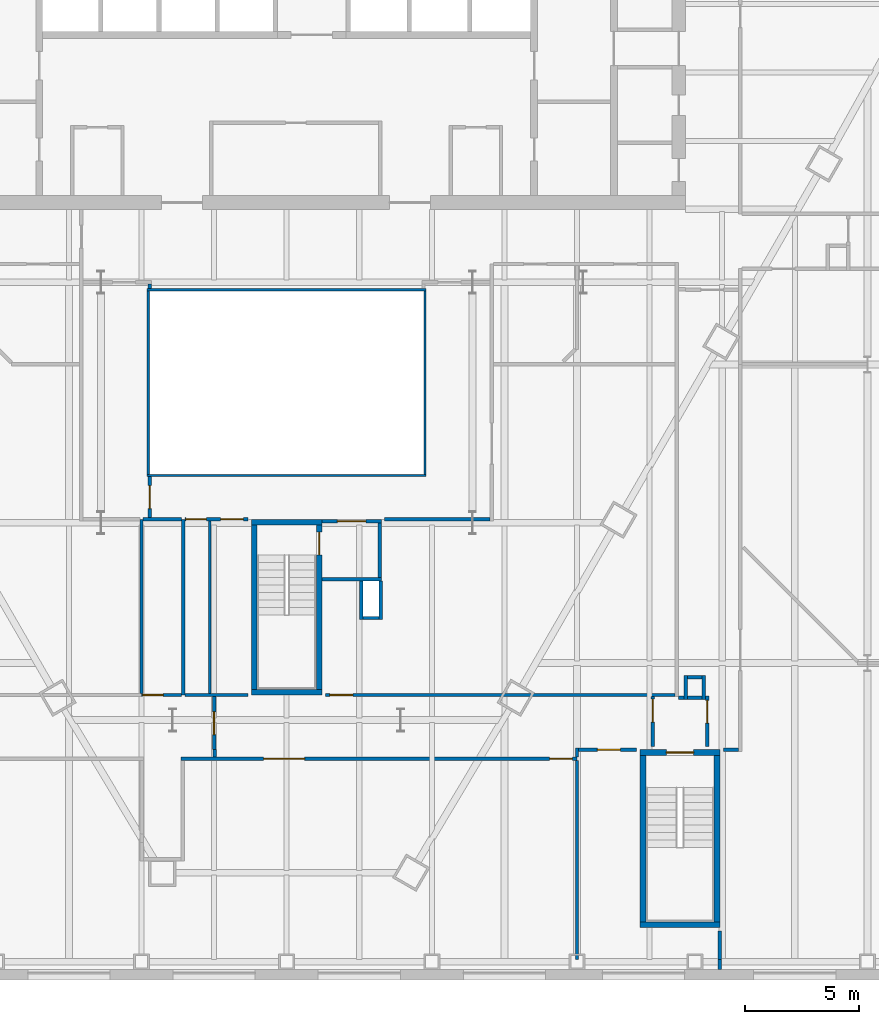
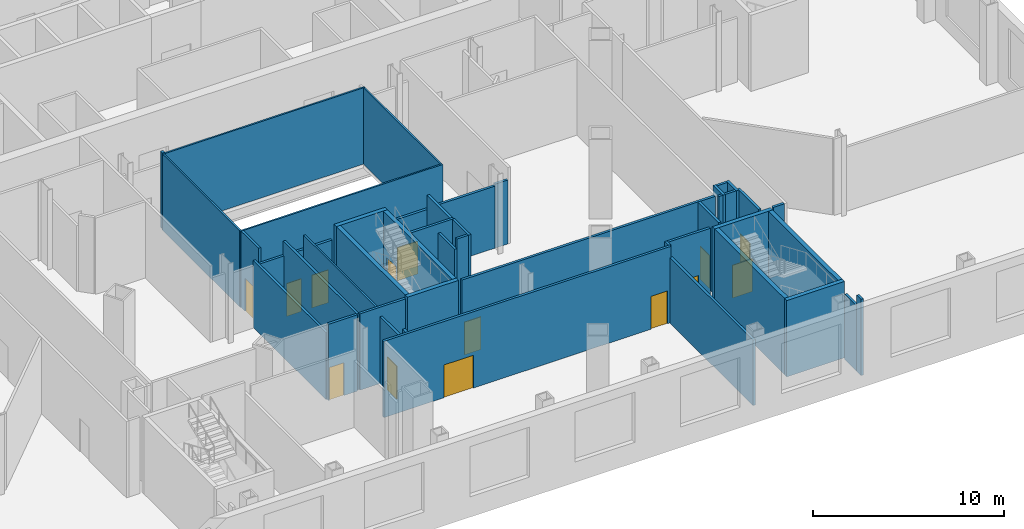
# One storey, part 10 of 21: 46 walls, 14 doors, 14 openings.
"""IFC4 building model written with IfcOpenShell, lengths in metres."""

from ifc_helpers import new_model, si_unit, direction, frame, frame_2d, origin, place, context, subcontext, project, spatial, rectangle, extrude, material, layer, layer_set, type_object, element, fill, save


model = new_model("IFC4")

# Units and contexts
model_context = context("Model", 3, precision=1e-05, world=origin(), true_north=direction((0.0, 1.0)))
body_context = subcontext(model_context, "Body", "Model", "MODEL_VIEW")
ifc_project = project(units=[si_unit("LENGTHUNIT", "METRE"), si_unit("AREAUNIT", "SQUARE_METRE"), si_unit("VOLUMEUNIT", "CUBIC_METRE"), si_unit("PLANEANGLEUNIT", "RADIAN"), si_unit("MASSUNIT", "GRAM", prefix="KILO")], contexts=[model_context])

# Site, building, storey
site_placement = place(None, origin())
site = spatial("IfcSite", under=ifc_project, at=site_placement, CompositionType="ELEMENT")
building_placement = place(site_placement, origin())
building = spatial("IfcBuilding", under=site, at=building_placement, Name="Njiva Tower", CompositionType="ELEMENT")
storey_placement = place(building_placement, frame((0.0, 0.0, 8.4)))
storey = spatial("IfcBuildingStorey", under=building, at=storey_placement, Name="L01", CompositionType="ELEMENT", Elevation=8.4)

# Wall
ifc_material_1 = material(Name="Gypsum board on steel studs", Category="gypsum")
ifc_layer_1 = layer(ifc_material_1, 0.1)
ifc_layer_set_1 = layer_set([ifc_layer_1], Name="Gypsum board on steel studs")
wall_type_1 = type_object("IfcWallType", Name="WT20 Gypsum partition 100", PredefinedType="PARTITIONING", material=ifc_layer_set_1)
wall_1_placement = place(storey_placement, frame((-3.375, -21.225, 0.0), z_axis=(0.0, 0.0, 1.0), x_axis=(0.0, 1.0, 0.0)))
element("IfcWall", 1, at=wall_1_placement, inside=storey, type_object=wall_type_1, Name="Partition L01-P053", PredefinedType="PARTITIONING", context=body_context, shape_type="SweptSolid", body=[
    extrude(rectangle(XDim=7.55, YDim=0.1, at=frame_2d((3.775, 0.0))), origin(), (0.0, 0.0, 1.0), 4.88),
])

# Wall, opening, door
ifc_layer_2 = layer(ifc_material_1, 0.15)
ifc_layer_set_2 = layer_set([ifc_layer_2], Name="Gypsum board on steel studs")
wall_type_2 = type_object("IfcWallType", Name="WT21 Compartment wall 150", PredefinedType="PARTITIONING", material=ifc_layer_set_2)
wall_2_placement = place(storey_placement, frame((-6.367, -21.3, 0.0), z_axis=(0.0, 0.0, 1.0), x_axis=(1.0, 0.0, 0.0)))
wall_2 = element("IfcWall", 2, at=wall_2_placement, inside=storey, type_object=wall_type_2, Name="Partition L01-P041", PredefinedType="PARTITIONING", context=body_context, shape_type="SweptSolid", body=[
    extrude(rectangle(XDim=1.748, YDim=0.15, at=frame_2d((0.874, 0.0))), origin(), (0.0, 0.0, 1.0), 4.88),
])
opening_1_placement = place(wall_2_placement, frame((0.05, 0.0, 0.0)))
opening_1 = element("IfcOpeningElement", 3, at=opening_1_placement, cuts=wall_2, Name="Opening L01-D014", PredefinedType="OPENING", context=body_context, shape_type="SweptSolid", body=[
    extrude(rectangle(XDim=0.9, YDim=2.1, at=frame_2d((0.45, 1.05))), frame((0.0, 0.085, 0.0), z_axis=(0.0, -1.0, 0.0), x_axis=(1.0, 0.0, 0.0)), (0.0, 0.0, 1.0), 0.17),
])
ifc_material_2 = material(Name="Steel fire door set", Category="steel")
door_type_1 = type_object("IfcDoorType", Name="D36 Fire door 900x2100", OperationType="SINGLE_SWING_LEFT", PredefinedType="DOOR", material=ifc_material_2)
door_1_placement = place(opening_1_placement, origin())
door_1 = element("IfcDoor", 4, at=door_1_placement, inside=storey, type_object=door_type_1, Name="Door L01-D014", OperationType="SINGLE_SWING_RIGHT", OverallHeight=2.1, OverallWidth=0.9, PredefinedType="DOOR", context=body_context, shape_type="SweptSolid", body=[
    extrude(rectangle(XDim=0.9, YDim=2.1, at=frame_2d((0.45, 1.05))), frame((0.0, 0.025, 0.0), z_axis=(0.0, -1.0, 0.0), x_axis=(1.0, 0.0, 0.0)), (0.0, 0.0, 1.0), 0.05),
])
fill(opening_1, door_1)

# Walls
wall_3_placement = place(storey_placement, frame((-6.367, -21.225, 0.0), z_axis=(0.0, 0.0, 1.0), x_axis=(0.0, 1.0, 0.0)))
element("IfcWall", 5, at=wall_3_placement, inside=storey, type_object=wall_type_2, Name="Partition L01-P042", PredefinedType="PARTITIONING", context=body_context, shape_type="SweptSolid", body=[
    extrude(rectangle(XDim=7.622, YDim=0.15, at=frame_2d((3.811, 0.0))), origin(), (0.0, 0.0, 1.0), 4.28),
])
wall_4_placement = place(storey_placement, frame((-6.292, -13.6, 0.0), z_axis=(0.0, 0.0, 1.0), x_axis=(1.0, 0.0, 0.0)))
element("IfcWall", 6, at=wall_4_placement, inside=storey, type_object=wall_type_2, Name="Partition L01-P044", PredefinedType="PARTITIONING", context=body_context, shape_type="SweptSolid", body=[
    extrude(rectangle(XDim=1.673, YDim=0.15, at=frame_2d((0.8365, 0.0))), origin(), (0.0, 0.0, 1.0), 3.97),
])

# Wall, opening, door
wall_5_placement = place(storey_placement, frame((-6.0, -13.525, 0.0), z_axis=(0.0, 0.0, 1.0), x_axis=(0.0, 1.0, 0.0)))
wall_5 = element("IfcWall", 7, at=wall_5_placement, inside=storey, type_object=wall_type_2, Name="Partition L01-P046", PredefinedType="PARTITIONING", context=body_context, shape_type="SweptSolid", body=[
    extrude(rectangle(XDim=1.805, YDim=0.15, at=frame_2d((0.9025, 0.0))), origin(), (0.0, 0.0, 1.0), 4.88),
])
opening_2_placement = place(wall_5_placement, frame((0.403, 0.0, 0.0)))
opening_2 = element("IfcOpeningElement", 8, at=opening_2_placement, cuts=wall_5, Name="Opening L01-D015", PredefinedType="OPENING", context=body_context, shape_type="SweptSolid", body=[
    extrude(rectangle(XDim=1.0, YDim=2.1, at=frame_2d((0.5, 1.05))), frame((0.0, 0.085, 0.0), z_axis=(0.0, -1.0, 0.0), x_axis=(1.0, 0.0, 0.0)), (0.0, 0.0, 1.0), 0.17),
])
door_type_2 = type_object("IfcDoorType", Name="D37 Fire door 1000x2100", OperationType="SINGLE_SWING_LEFT", PredefinedType="DOOR", material=ifc_material_2)
door_2_placement = place(opening_2_placement, origin())
door_2 = element("IfcDoor", 9, at=door_2_placement, inside=storey, type_object=door_type_2, Name="Door L01-D015", OperationType="SINGLE_SWING_LEFT", OverallHeight=2.1, OverallWidth=1.0, PredefinedType="DOOR", context=body_context, shape_type="SweptSolid", body=[
    extrude(rectangle(XDim=1.0, YDim=2.1, at=frame_2d((0.5, 1.05))), frame((0.0, 0.025, 0.0), z_axis=(0.0, -1.0, 0.0), x_axis=(1.0, 0.0, 0.0)), (0.0, 0.0, 1.0), 0.05),
])
fill(opening_2, door_2)

# Wall
wall_6_placement = place(storey_placement, frame((-6.0, -3.48, 0.0), z_axis=(0.0, 0.0, 1.0), x_axis=(0.0, 1.0, 0.0)))
element("IfcWall", 10, at=wall_6_placement, inside=storey, type_object=wall_type_2, Name="Partition L01-P047", PredefinedType="PARTITIONING", context=body_context, shape_type="SweptSolid", body=[
    extrude(rectangle(XDim=0.205, YDim=0.15, at=frame_2d((0.1025, 0.0))), origin(), (0.0, 0.0, 1.0), 4.88),
])

# Wall, openings, doors
wall_7_placement = place(storey_placement, frame((-4.635, -24.1, 0.0), z_axis=(0.0, 0.0, 1.0), x_axis=(1.0, 0.0, 0.0)))
wall_7 = element("IfcWall", 11, at=wall_7_placement, inside=storey, type_object=wall_type_2, Name="Partition L01-P048", PredefinedType="PARTITIONING", context=body_context, shape_type="SweptSolid", body=[
    extrude(rectangle(XDim=17.368, YDim=0.15, at=frame_2d((8.684, 0.0))), origin(), (0.0, 0.0, 1.0), 4.88),
])
opening_3_placement = place(wall_7_placement, frame((3.622, 0.0, 0.0)))
opening_3 = element("IfcOpeningElement", 12, at=opening_3_placement, cuts=wall_7, Name="Opening L01-D016", PredefinedType="OPENING", context=body_context, shape_type="SweptSolid", body=[
    extrude(rectangle(XDim=1.8, YDim=2.1, at=frame_2d((0.9, 1.05))), frame((0.0, 0.085, 0.0), z_axis=(0.0, -1.0, 0.0), x_axis=(1.0, 0.0, 0.0)), (0.0, 0.0, 1.0), 0.17),
])
opening_4_placement = place(wall_7_placement, frame((16.168, 0.0, 0.0)))
opening_4 = element("IfcOpeningElement", 13, at=opening_4_placement, cuts=wall_7, Name="Opening L01-D017", PredefinedType="OPENING", context=body_context, shape_type="SweptSolid", body=[
    extrude(rectangle(XDim=1.0, YDim=2.1, at=frame_2d((0.5, 1.05))), frame((0.0, 0.085, 0.0), z_axis=(0.0, -1.0, 0.0), x_axis=(1.0, 0.0, 0.0)), (0.0, 0.0, 1.0), 0.17),
])
door_3_placement = place(opening_4_placement, origin())
door_3 = element("IfcDoor", 14, at=door_3_placement, inside=storey, type_object=door_type_2, Name="Door L01-D017", OperationType="SINGLE_SWING_LEFT", OverallHeight=2.1, OverallWidth=1.0, PredefinedType="DOOR", context=body_context, shape_type="SweptSolid", body=[
    extrude(rectangle(XDim=1.0, YDim=2.1, at=frame_2d((0.5, 1.05))), frame((0.0, 0.025, 0.0), z_axis=(0.0, -1.0, 0.0), x_axis=(1.0, 0.0, 0.0)), (0.0, 0.0, 1.0), 0.05),
])
fill(opening_4, door_3)
door_type_3 = type_object("IfcDoorType", Name="D38 Fire door 1800x2100", OperationType="DOUBLE_DOOR_SINGLE_SWING", PredefinedType="DOOR", material=ifc_material_2)
door_4_placement = place(opening_3_placement, origin())
door_4 = element("IfcDoor", 15, at=door_4_placement, inside=storey, type_object=door_type_3, Name="Door L01-D016", OperationType="DOUBLE_DOOR_SINGLE_SWING", OverallHeight=2.1, OverallWidth=1.8, PredefinedType="DOOR", context=body_context, shape_type="SweptSolid", body=[
    extrude(rectangle(XDim=1.8, YDim=2.1, at=frame_2d((0.9, 1.05))), frame((0.0, 0.025, 0.0), z_axis=(0.0, -1.0, 0.0), x_axis=(1.0, 0.0, 0.0)), (0.0, 0.0, 1.0), 0.05),
])
fill(opening_3, door_4)

# Walls
wall_8_placement = place(storey_placement, frame((-4.544, -21.3, 0.0), z_axis=(0.0, 0.0, 1.0), x_axis=(0.0, 1.0, 0.0)))
element("IfcWall", 16, at=wall_8_placement, inside=storey, type_object=wall_type_2, Name="Partition L01-P050", PredefinedType="PARTITIONING", context=body_context, shape_type="SweptSolid", body=[
    extrude(rectangle(XDim=7.7, YDim=0.15, at=frame_2d((3.85, 0.0))), origin(), (0.0, 0.0, 1.0), 4.88),
])
wall_9_placement = place(storey_placement, frame((-4.469, -21.3, 0.0), z_axis=(0.0, 0.0, 1.0), x_axis=(1.0, 0.0, 0.0)))
element("IfcWall", 17, at=wall_9_placement, inside=storey, type_object=wall_type_2, Name="Partition L01-P051", PredefinedType="PARTITIONING", context=body_context, shape_type="SweptSolid", body=[
    extrude(rectangle(XDim=2.769, YDim=0.15, at=frame_2d((1.3845, 0.0))), origin(), (0.0, 0.0, 1.0), 4.88),
])

# Wall, openings, doors
wall_10_placement = place(storey_placement, frame((-4.469, -13.6, 0.0), z_axis=(0.0, 0.0, 1.0), x_axis=(1.0, 0.0, 0.0)))
wall_10 = element("IfcWall", 18, at=wall_10_placement, inside=storey, type_object=wall_type_2, Name="Partition L01-P052", PredefinedType="PARTITIONING", context=body_context, shape_type="SweptSolid", body=[
    extrude(rectangle(XDim=2.769, YDim=0.15, at=frame_2d((1.3845, 0.0))), origin(), (0.0, 0.0, 1.0), 3.97),
])
opening_5_placement = place(wall_10_placement, frame((0.05, 0.0, 0.0)))
opening_5 = element("IfcOpeningElement", 19, at=opening_5_placement, cuts=wall_10, Name="Opening L01-D018", PredefinedType="OPENING", context=body_context, shape_type="SweptSolid", body=[
    extrude(rectangle(XDim=0.9, YDim=2.1, at=frame_2d((0.45, 1.05))), frame((0.0, 0.085, 0.0), z_axis=(0.0, -1.0, 0.0), x_axis=(1.0, 0.0, 0.0)), (0.0, 0.0, 1.0), 0.17),
])
opening_6_placement = place(wall_10_placement, frame((1.569, 0.0, 0.0)))
opening_6 = element("IfcOpeningElement", 20, at=opening_6_placement, cuts=wall_10, Name="Opening L01-D019", PredefinedType="OPENING", context=body_context, shape_type="SweptSolid", body=[
    extrude(rectangle(XDim=1.0, YDim=2.1, at=frame_2d((0.5, 1.05))), frame((0.0, 0.085, 0.0), z_axis=(0.0, -1.0, 0.0), x_axis=(1.0, 0.0, 0.0)), (0.0, 0.0, 1.0), 0.17),
])
door_5_placement = place(opening_5_placement, origin())
door_5 = element("IfcDoor", 21, at=door_5_placement, inside=storey, type_object=door_type_1, Name="Door L01-D018", OperationType="SINGLE_SWING_LEFT", OverallHeight=2.1, OverallWidth=0.9, PredefinedType="DOOR", context=body_context, shape_type="SweptSolid", body=[
    extrude(rectangle(XDim=0.9, YDim=2.1, at=frame_2d((0.45, 1.05))), frame((0.0, 0.025, 0.0), z_axis=(0.0, -1.0, 0.0), x_axis=(1.0, 0.0, 0.0)), (0.0, 0.0, 1.0), 0.05),
])
fill(opening_5, door_5)
door_6_placement = place(opening_6_placement, origin())
door_6 = element("IfcDoor", 22, at=door_6_placement, inside=storey, type_object=door_type_2, Name="Door L01-D019", OperationType="SINGLE_SWING_RIGHT", OverallHeight=2.1, OverallWidth=1.0, PredefinedType="DOOR", context=body_context, shape_type="SweptSolid", body=[
    extrude(rectangle(XDim=1.0, YDim=2.1, at=frame_2d((0.5, 1.05))), frame((0.0, 0.025, 0.0), z_axis=(0.0, -1.0, 0.0), x_axis=(1.0, 0.0, 0.0)), (0.0, 0.0, 1.0), 0.05),
])
fill(opening_6, door_6)

# Wall, opening, door
wall_11_placement = place(storey_placement, frame((-3.185, -23.7, 0.0), z_axis=(0.0, 0.0, 1.0), x_axis=(0.0, 1.0, 0.0)))
wall_11 = element("IfcWall", 23, at=wall_11_placement, inside=storey, type_object=wall_type_2, Name="Partition L01-P054", PredefinedType="PARTITIONING", context=body_context, shape_type="SweptSolid", body=[
    extrude(rectangle(XDim=2.325, YDim=0.15, at=frame_2d((1.1625, 0.0))), origin(), (0.0, 0.0, 1.0), 4.28),
])
opening_7_placement = place(wall_11_placement, frame((0.662, 0.0, 0.0)))
opening_7 = element("IfcOpeningElement", 24, at=opening_7_placement, cuts=wall_11, Name="Opening L01-D020", PredefinedType="OPENING", context=body_context, shape_type="SweptSolid", body=[
    extrude(rectangle(XDim=1.0, YDim=2.1, at=frame_2d((0.5, 1.05))), frame((0.0, 0.085, 0.0), z_axis=(0.0, -1.0, 0.0), x_axis=(1.0, 0.0, 0.0)), (0.0, 0.0, 1.0), 0.17),
])
door_7_placement = place(opening_7_placement, origin())
door_7 = element("IfcDoor", 25, at=door_7_placement, inside=storey, type_object=door_type_2, Name="Door L01-D020", OperationType="SINGLE_SWING_LEFT", OverallHeight=2.1, OverallWidth=1.0, PredefinedType="DOOR", context=body_context, shape_type="SweptSolid", body=[
    extrude(rectangle(XDim=1.0, YDim=2.1, at=frame_2d((0.5, 1.05))), frame((0.0, 0.025, 0.0), z_axis=(0.0, -1.0, 0.0), x_axis=(1.0, 0.0, 0.0)), (0.0, 0.0, 1.0), 0.05),
])
fill(opening_7, door_7)

# Wall
wall_12_placement = place(storey_placement, frame((-3.161, -24.025, 0.0), z_axis=(0.0, 0.0, 1.0), x_axis=(0.0, 1.0, 0.0)))
element("IfcWall", 26, at=wall_12_placement, inside=storey, type_object=wall_type_2, Name="Partition L01-P055", PredefinedType="PARTITIONING", context=body_context, shape_type="SweptSolid", body=[
    extrude(rectangle(XDim=0.325, YDim=0.15, at=frame_2d((0.1625, 0.0))), origin(), (0.0, 0.0, 1.0), 4.88),
])

# Wall, opening, door
wall_13_placement = place(storey_placement, frame((1.7, -21.3, 0.0), z_axis=(0.0, 0.0, 1.0), x_axis=(1.0, 0.0, 0.0)))
wall_13 = element("IfcWall", 27, at=wall_13_placement, inside=storey, type_object=wall_type_2, Name="Partition L01-P057", PredefinedType="PARTITIONING", context=body_context, shape_type="SweptSolid", body=[
    extrude(rectangle(XDim=15.325, YDim=0.15, at=frame_2d((7.6625, 0.0))), origin(), (0.0, 0.0, 1.0), 4.88),
])
opening_8_placement = place(wall_13_placement, frame((0.2, 0.0, 0.0)))
opening_8 = element("IfcOpeningElement", 28, at=opening_8_placement, cuts=wall_13, Name="Opening L01-D021", PredefinedType="OPENING", context=body_context, shape_type="SweptSolid", body=[
    extrude(rectangle(XDim=1.0, YDim=2.1, at=frame_2d((0.5, 1.05))), frame((0.0, 0.085, 0.0), z_axis=(0.0, -1.0, 0.0), x_axis=(1.0, 0.0, 0.0)), (0.0, 0.0, 1.0), 0.17),
])
door_8_placement = place(opening_8_placement, origin())
door_8 = element("IfcDoor", 29, at=door_8_placement, inside=storey, type_object=door_type_2, Name="Door L01-D021", OperationType="SINGLE_SWING_LEFT", OverallHeight=2.1, OverallWidth=1.0, PredefinedType="DOOR", context=body_context, shape_type="SweptSolid", body=[
    extrude(rectangle(XDim=1.0, YDim=2.1, at=frame_2d((0.5, 1.05))), frame((0.0, 0.025, 0.0), z_axis=(0.0, -1.0, 0.0), x_axis=(1.0, 0.0, 0.0)), (0.0, 0.0, 1.0), 0.05),
])
fill(opening_8, door_8)

# Walls
wall_14_placement = place(storey_placement, frame((4.3, -13.6, 0.0), z_axis=(0.0, 0.0, 1.0), x_axis=(1.0, 0.0, 0.0)))
element("IfcWall", 30, at=wall_14_placement, inside=storey, type_object=wall_type_2, Name="Partition L01-P058", PredefinedType="PARTITIONING", context=body_context, shape_type="SweptSolid", body=[
    extrude(rectangle(XDim=3.85, YDim=0.15, at=frame_2d((1.925, 0.0))), origin(), (0.0, 0.0, 1.0), 3.97),
])
wall_15_placement = place(storey_placement, frame((8.15, -13.6, 0.0), z_axis=(0.0, 0.0, 1.0), x_axis=(1.0, 0.0, 0.0)))
element("IfcWall", 31, at=wall_15_placement, inside=storey, type_object=wall_type_2, Name="Partition L01-P058A", PredefinedType="PARTITIONING", context=body_context, shape_type="SweptSolid", body=[
    extrude(rectangle(XDim=0.775, YDim=0.15, at=frame_2d((0.3875, 0.0))), origin(), (0.0, 0.0, 1.0), 4.09),
])
wall_16_placement = place(storey_placement, frame((12.733, -32.9, 0.0), z_axis=(0.0, 0.0, 1.0), x_axis=(0.0, 1.0, 0.0)))
element("IfcWall", 32, at=wall_16_placement, inside=storey, type_object=wall_type_2, Name="Partition L01-P066", PredefinedType="PARTITIONING", context=body_context, shape_type="SweptSolid", body=[
    extrude(rectangle(XDim=8.725, YDim=0.15, at=frame_2d((4.3625, 0.0))), origin(), (0.0, 0.0, 1.0), 4.19),
])
wall_17_placement = place(storey_placement, frame((12.733, -24.025, 0.0), z_axis=(0.0, 0.0, 1.0), x_axis=(0.0, 1.0, 0.0)))
element("IfcWall", 33, at=wall_17_placement, inside=storey, type_object=wall_type_2, Name="Partition L01-P067", PredefinedType="PARTITIONING", context=body_context, shape_type="SweptSolid", body=[
    extrude(rectangle(XDim=0.4, YDim=0.15, at=frame_2d((0.2, 0.0))), origin(), (0.0, 0.0, 1.0), 4.88),
])

# Wall, opening, door
wall_18_placement = place(storey_placement, frame((12.808, -23.7, 0.0), z_axis=(0.0, 0.0, 1.0), x_axis=(1.0, 0.0, 0.0)))
wall_18 = element("IfcWall", 34, at=wall_18_placement, inside=storey, type_object=wall_type_2, Name="Partition L01-P069", PredefinedType="PARTITIONING", context=body_context, shape_type="SweptSolid", body=[
    extrude(rectangle(XDim=2.542, YDim=0.15, at=frame_2d((1.271, 0.0))), origin(), (0.0, 0.0, 1.0), 4.88),
])
opening_9_placement = place(wall_18_placement, frame((0.823, 0.0, 0.0)))
opening_9 = element("IfcOpeningElement", 35, at=opening_9_placement, cuts=wall_18, Name="Opening L01-D026", PredefinedType="OPENING", context=body_context, shape_type="SweptSolid", body=[
    extrude(rectangle(XDim=1.0, YDim=2.1, at=frame_2d((0.5, 1.05))), frame((0.0, 0.085, 0.0), z_axis=(0.0, -1.0, 0.0), x_axis=(1.0, 0.0, 0.0)), (0.0, 0.0, 1.0), 0.17),
])
door_9_placement = place(opening_9_placement, origin())
door_9 = element("IfcDoor", 36, at=door_9_placement, inside=storey, type_object=door_type_2, Name="Door L01-D026", OperationType="SINGLE_SWING_RIGHT", OverallHeight=2.1, OverallWidth=1.0, PredefinedType="DOOR", context=body_context, shape_type="SweptSolid", body=[
    extrude(rectangle(XDim=1.0, YDim=2.1, at=frame_2d((0.5, 1.05))), frame((0.0, 0.025, 0.0), z_axis=(0.0, -1.0, 0.0), x_axis=(1.0, 0.0, 0.0)), (0.0, 0.0, 1.0), 0.05),
])
fill(opening_9, door_9)

wall_19_placement = place(storey_placement, frame((16.05, -23.55, 0.0), z_axis=(0.0, 0.0, 1.0), x_axis=(0.0, 1.0, 0.0)))
wall_19 = element("IfcWall", 37, at=wall_19_placement, inside=storey, type_object=wall_type_2, Name="Partition L01-P070", PredefinedType="PARTITIONING", context=body_context, shape_type="SweptSolid", body=[
    extrude(rectangle(XDim=2.175, YDim=0.15, at=frame_2d((1.0875, 0.0))), origin(), (0.0, 0.0, 1.0), 4.88),
])
opening_10_placement = place(wall_19_placement, frame((1.063, 0.0, 0.0)))
opening_10 = element("IfcOpeningElement", 38, at=opening_10_placement, cuts=wall_19, Name="Opening L01-D027", PredefinedType="OPENING", context=body_context, shape_type="SweptSolid", body=[
    extrude(rectangle(XDim=1.0, YDim=2.1, at=frame_2d((0.5, 1.05))), frame((0.0, 0.085, 0.0), z_axis=(0.0, -1.0, 0.0), x_axis=(1.0, 0.0, 0.0)), (0.0, 0.0, 1.0), 0.17),
])
ifc_material_3 = material(Name="Glazed steel fire door", Category="steel")
door_type_4 = type_object("IfcDoorType", Name="D41 Glazed fire door 1000x2100", OperationType="SINGLE_SWING_LEFT", PredefinedType="DOOR", material=ifc_material_3)
door_10_placement = place(opening_10_placement, origin())
door_10 = element("IfcDoor", 39, at=door_10_placement, inside=storey, type_object=door_type_4, Name="Door L01-D027", OperationType="SINGLE_SWING_RIGHT", OverallHeight=2.1, OverallWidth=1.0, PredefinedType="DOOR", context=body_context, shape_type="SweptSolid", body=[
    extrude(rectangle(XDim=1.0, YDim=2.1, at=frame_2d((0.5, 1.05))), frame((0.0, 0.025, 0.0), z_axis=(0.0, -1.0, 0.0), x_axis=(1.0, 0.0, 0.0)), (0.0, 0.0, 1.0), 0.05),
])
fill(opening_10, door_10)

# Wall
wall_20_placement = place(storey_placement, frame((17.175, -21.425, 0.0), z_axis=(0.0, 0.0, 1.0), x_axis=(1.0, 0.0, 0.0)))
element("IfcWall", 40, at=wall_20_placement, inside=storey, type_object=wall_type_2, Name="Partition L01-P072", PredefinedType="PARTITIONING", context=body_context, shape_type="SweptSolid", body=[
    extrude(rectangle(XDim=0.25, YDim=0.15, at=frame_2d((0.125, 0.0))), origin(), (0.0, 0.0, 1.0), 4.88),
])

# Wall, opening, door
wall_21_placement = place(storey_placement, frame((18.45, -23.55, 0.0), z_axis=(0.0, 0.0, 1.0), x_axis=(0.0, 1.0, 0.0)))
wall_21 = element("IfcWall", 41, at=wall_21_placement, inside=storey, type_object=wall_type_2, Name="Partition L01-P080", PredefinedType="PARTITIONING", context=body_context, shape_type="SweptSolid", body=[
    extrude(rectangle(XDim=2.2, YDim=0.15, at=frame_2d((1.1, 0.0))), origin(), (0.0, 0.0, 1.0), 4.88),
])
opening_11_placement = place(wall_21_placement, frame((1.013, 0.0, 0.0)))
opening_11 = element("IfcOpeningElement", 42, at=opening_11_placement, cuts=wall_21, Name="Opening L01-D029", PredefinedType="OPENING", context=body_context, shape_type="SweptSolid", body=[
    extrude(rectangle(XDim=1.0, YDim=2.1, at=frame_2d((0.5, 1.05))), frame((0.0, 0.085, 0.0), z_axis=(0.0, -1.0, 0.0), x_axis=(1.0, 0.0, 0.0)), (0.0, 0.0, 1.0), 0.17),
])
door_11_placement = place(opening_11_placement, origin())
door_11 = element("IfcDoor", 43, at=door_11_placement, inside=storey, type_object=door_type_4, Name="Door L01-D029", OperationType="SINGLE_SWING_LEFT", OverallHeight=2.1, OverallWidth=1.0, PredefinedType="DOOR", context=body_context, shape_type="SweptSolid", body=[
    extrude(rectangle(XDim=1.0, YDim=2.1, at=frame_2d((0.5, 1.05))), frame((0.0, 0.025, 0.0), z_axis=(0.0, -1.0, 0.0), x_axis=(1.0, 0.0, 0.0)), (0.0, 0.0, 1.0), 0.05),
])
fill(opening_11, door_11)

# Walls
wall_22_placement = place(storey_placement, frame((19.0, -33.348, 0.0), z_axis=(0.0, 0.0, 1.0), x_axis=(0.0, 1.0, 0.0)))
element("IfcWall", 44, at=wall_22_placement, inside=storey, type_object=wall_type_2, Name="Partition L01-P081", PredefinedType="PARTITIONING", context=body_context, shape_type="SweptSolid", body=[
    extrude(rectangle(XDim=0.448, YDim=0.15, at=frame_2d((0.224, 0.0))), origin(), (0.0, 0.0, 1.0), 4.88),
])
wall_23_placement = place(storey_placement, frame((19.0, -32.9, 0.0), z_axis=(0.0, 0.0, 1.0), x_axis=(0.0, 1.0, 0.0)))
element("IfcWall", 45, at=wall_23_placement, inside=storey, type_object=wall_type_2, Name="Partition L01-P081A", PredefinedType="PARTITIONING", context=body_context, shape_type="SweptSolid", body=[
    extrude(rectangle(XDim=1.25, YDim=0.15, at=frame_2d((0.625, 0.0))), origin(), (0.0, 0.0, 1.0), 4.19),
])
wall_24_placement = place(storey_placement, frame((19.15, -23.7, 0.0), z_axis=(0.0, 0.0, 1.0), x_axis=(1.0, 0.0, 0.0)))
element("IfcWall", 46, at=wall_24_placement, inside=storey, type_object=wall_type_2, Name="Partition L01-P082", PredefinedType="PARTITIONING", context=body_context, shape_type="SweptSolid", body=[
    extrude(rectangle(XDim=0.675, YDim=0.15, at=frame_2d((0.3375, 0.0))), origin(), (0.0, 0.0, 1.0), 4.88),
])
ifc_layer_3 = layer(ifc_material_1, 0.15)
ifc_layer_set_3 = layer_set([ifc_layer_3], Name="Gypsum board on steel studs")
wall_type_3 = type_object("IfcWallType", Name="WT24 Riser room wall 150", PredefinedType="PARTITIONING", material=ifc_layer_set_3)
wall_25_placement = place(storey_placement, frame((17.5, -21.5, 0.0), z_axis=(0.0, 0.0, 1.0), x_axis=(0.0, 1.0, 0.0)))
element("IfcWall", 47, at=wall_25_placement, inside=storey, type_object=wall_type_3, Name="Partition L01-P074", PredefinedType="PARTITIONING", context=body_context, shape_type="SweptSolid", body=[
    extrude(rectangle(XDim=1.05, YDim=0.15, at=frame_2d((0.525, 0.0))), origin(), (0.0, 0.0, 1.0), 4.88),
])
for number, where, z_axis, x_axis, name in (
    (48, (17.575, -21.425, 0.0), (0.0, 0.0, 1.0), (1.0, 0.0, 0.0), "Partition L01-P077"),
    (49, (17.575, -20.525, 0.0), (0.0, 0.0, 1.0), (1.0, 0.0, 0.0), "Partition L01-P078"),
):
    element("IfcWall", number, at=place(storey_placement, frame(where, z_axis=z_axis, x_axis=x_axis)), inside=storey, type_object=wall_type_3, Name=name, PredefinedType="PARTITIONING", context=body_context, shape_type="SweptSolid", body=[
        extrude(rectangle(XDim=0.65, YDim=0.15, at=frame_2d((0.325, 0.0))), origin(), (0.0, 0.0, 1.0), 4.88),
    ])
wall_26_placement = place(storey_placement, frame((18.3, -21.5, 0.0), z_axis=(0.0, 0.0, 1.0), x_axis=(0.0, 1.0, 0.0)))
element("IfcWall", 50, at=wall_26_placement, inside=storey, type_object=wall_type_3, Name="Partition L01-P079", PredefinedType="PARTITIONING", context=body_context, shape_type="SweptSolid", body=[
    extrude(rectangle(XDim=1.05, YDim=0.15, at=frame_2d((0.525, 0.0))), origin(), (0.0, 0.0, 1.0), 4.88),
])
ifc_material_4 = material(Name="Blockwork", Category="masonry")
ifc_layer_4 = layer(ifc_material_4, 0.15)
ifc_layer_set_4 = layer_set([ifc_layer_4], Name="Blockwork")
wall_type_4 = type_object("IfcWallType", Name="WT4 Stair partition 150", PredefinedType="PARTITIONING", material=ifc_layer_set_4)
wall_27_placement = place(storey_placement, frame((1.55, -16.225, 0.0), z_axis=(0.0, 0.0, 1.0), x_axis=(1.0, 0.0, 0.0)))
element("IfcWall", 51, at=wall_27_placement, inside=storey, type_object=wall_type_4, Name="Stair C vestibule wall south", PredefinedType="PARTITIONING", context=body_context, shape_type="SweptSolid", body=[
    extrude(rectangle(XDim=2.6, YDim=0.15, at=frame_2d((1.3, 0.0))), origin(), (0.0, 0.0, 1.0), 4.88),
])
wall_28_placement = place(storey_placement, frame((4.075, -16.15, 0.0), z_axis=(0.0, 0.0, 1.0), x_axis=(0.0, 1.0, 0.0)))
element("IfcWall", 52, at=wall_28_placement, inside=storey, type_object=wall_type_4, Name="Stair C vestibule wall east", PredefinedType="PARTITIONING", context=body_context, shape_type="SweptSolid", body=[
    extrude(rectangle(XDim=2.4, YDim=0.15, at=frame_2d((1.2, 0.0))), origin(), (0.0, 0.0, 1.0), 4.88),
])

# Wall, opening, door
wall_29_placement = place(storey_placement, frame((1.55, -13.675, 0.0), z_axis=(0.0, 0.0, 1.0), x_axis=(1.0, 0.0, 0.0)))
wall_29 = element("IfcWall", 53, at=wall_29_placement, inside=storey, type_object=wall_type_4, Name="Stair C vestibule wall north", PredefinedType="PARTITIONING", context=body_context, shape_type="SweptSolid", body=[
    extrude(rectangle(XDim=2.6, YDim=0.15, at=frame_2d((1.3, 0.0))), origin(), (0.0, 0.0, 1.0), 3.97),
])
opening_12_placement = place(wall_29_placement, frame((0.675, 0.0, 0.0)))
opening_12 = element("IfcOpeningElement", 54, at=opening_12_placement, cuts=wall_29, Name="Opening L01-D939", PredefinedType="OPENING", context=body_context, shape_type="SweptSolid", body=[
    extrude(rectangle(XDim=1.25, YDim=2.1, at=frame_2d((0.625, 1.05))), frame((0.0, 0.085, 0.0), z_axis=(0.0, -1.0, 0.0), x_axis=(1.0, 0.0, 0.0)), (0.0, 0.0, 1.0), 0.17),
])
door_type_5 = type_object("IfcDoorType", Name="D8 Vestibule corridor door 1250x2100 glazed", OperationType="SINGLE_SWING_LEFT", PredefinedType="DOOR", material=ifc_material_3)
door_12_placement = place(opening_12_placement, origin())
door_12 = element("IfcDoor", 55, at=door_12_placement, inside=storey, type_object=door_type_5, Name="Stair vestibule corridor door", OperationType="SINGLE_SWING_RIGHT", OverallHeight=2.1, OverallWidth=1.25, PredefinedType="DOOR", context=body_context, shape_type="SweptSolid", body=[
    extrude(rectangle(XDim=1.25, YDim=2.1, at=frame_2d((0.625, 1.05))), frame((0.0, 0.025, 0.0), z_axis=(0.0, -1.0, 0.0), x_axis=(1.0, 0.0, 0.0)), (0.0, 0.0, 1.0), 0.05),
])
fill(opening_12, door_12)

# Walls
wall_30_placement = place(storey_placement, frame((3.275, -18.0, 0.0), z_axis=(0.0, 0.0, 1.0), x_axis=(0.0, 1.0, 0.0)))
element("IfcWall", 56, at=wall_30_placement, inside=storey, type_object=wall_type_4, Name="Stair C pressurisation shaft wall", PredefinedType="PARTITIONING", context=body_context, shape_type="SweptSolid", body=[
    extrude(rectangle(XDim=1.7, YDim=0.15, at=frame_2d((0.85, 0.0))), origin(), (0.0, 0.0, 1.0), 4.28),
])
wall_31_placement = place(storey_placement, frame((3.35, -17.925, 0.0), z_axis=(0.0, 0.0, 1.0), x_axis=(1.0, 0.0, 0.0)))
element("IfcWall", 57, at=wall_31_placement, inside=storey, type_object=wall_type_4, Name="Stair C pressurisation shaft wall", PredefinedType="PARTITIONING", context=body_context, shape_type="SweptSolid", body=[
    extrude(rectangle(XDim=0.7, YDim=0.15, at=frame_2d((0.35, 0.0))), origin(), (0.0, 0.0, 1.0), 4.88),
])
wall_32_placement = place(storey_placement, frame((4.125, -18.0, 0.0), z_axis=(0.0, 0.0, 1.0), x_axis=(0.0, 1.0, 0.0)))
element("IfcWall", 58, at=wall_32_placement, inside=storey, type_object=wall_type_4, Name="Stair C pressurisation shaft wall", PredefinedType="PARTITIONING", context=body_context, shape_type="SweptSolid", body=[
    extrude(rectangle(XDim=1.7, YDim=0.15, at=frame_2d((0.85, 0.0))), origin(), (0.0, 0.0, 1.0), 4.88),
])
ifc_material_5 = material(Name="Concrete C40/50", Category="concrete")
ifc_layer_5 = layer(ifc_material_5, 0.25)
ifc_layer_set_5 = layer_set([ifc_layer_5], Name="Concrete C40/50")
wall_type_5 = type_object("IfcWallType", Name="WT9 Stair enclosure wall 250", PredefinedType="SHEAR", material=ifc_layer_set_5)
wall_33_placement = place(storey_placement, frame((-1.425, -21.05, 0.0), z_axis=(0.0, 0.0, 1.0), x_axis=(0.0, 1.0, 0.0)))
element("IfcWall", 59, at=wall_33_placement, inside=storey, type_object=wall_type_5, Name="Stair C wall west", PredefinedType="SHEAR", context=body_context, shape_type="SweptSolid", body=[
    extrude(rectangle(XDim=7.2, YDim=0.25, at=frame_2d((3.6, 0.0))), origin(), (0.0, 0.0, 1.0), 4.88),
])

# Wall, opening, door
wall_34_placement = place(storey_placement, frame((1.425, -21.05, 0.0), z_axis=(0.0, 0.0, 1.0), x_axis=(0.0, 1.0, 0.0)))
wall_34 = element("IfcWall", 60, at=wall_34_placement, inside=storey, type_object=wall_type_5, Name="Stair C wall east", PredefinedType="SHEAR", context=body_context, shape_type="SweptSolid", body=[
    extrude(rectangle(XDim=7.2, YDim=0.25, at=frame_2d((3.6, 0.0))), origin(), (0.0, 0.0, 1.0), 4.88),
])
opening_13_placement = place(wall_34_placement, frame((5.89, 0.0, 0.0)))
opening_13 = element("IfcOpeningElement", 61, at=opening_13_placement, cuts=wall_34, Name="Opening L01-D938", PredefinedType="OPENING", context=body_context, shape_type="SweptSolid", body=[
    extrude(rectangle(XDim=1.0, YDim=2.1, at=frame_2d((0.5, 1.05))), frame((0.0, 0.135, 0.0), z_axis=(0.0, -1.0, 0.0), x_axis=(1.0, 0.0, 0.0)), (0.0, 0.0, 1.0), 0.27),
])
door_type_6 = type_object("IfcDoorType", Name="D9 Stair vestibule door 1000x2100 glazed", OperationType="SINGLE_SWING_LEFT", PredefinedType="DOOR", material=ifc_material_3)
door_13_placement = place(opening_13_placement, origin())
door_13 = element("IfcDoor", 62, at=door_13_placement, inside=storey, type_object=door_type_6, Name="Stair C door", OperationType="SINGLE_SWING_LEFT", OverallHeight=2.1, OverallWidth=1.0, PredefinedType="DOOR", context=body_context, shape_type="SweptSolid", body=[
    extrude(rectangle(XDim=1.0, YDim=2.1, at=frame_2d((0.5, 1.05))), frame((0.0, 0.025, 0.0), z_axis=(0.0, -1.0, 0.0), x_axis=(1.0, 0.0, 0.0)), (0.0, 0.0, 1.0), 0.05),
])
fill(opening_13, door_13)

# Walls
for number, where, z_axis, x_axis, name in (
    (63, (-1.55, -21.175, 0.0), (0.0, 0.0, 1.0), (1.0, 0.0, 0.0), "Stair C wall south"),
    (64, (-1.55, -13.725, 0.0), (0.0, 0.0, 1.0), (1.0, 0.0, 0.0), "Stair C wall north"),
):
    element("IfcWall", number, at=place(storey_placement, frame(where, z_axis=z_axis, x_axis=x_axis)), inside=storey, type_object=wall_type_5, Name=name, PredefinedType="SHEAR", context=body_context, shape_type="SweptSolid", body=[
        extrude(rectangle(XDim=3.1, YDim=0.25, at=frame_2d((1.55, 0.0))), origin(), (0.0, 0.0, 1.0), 4.88),
    ])
for number, where, z_axis, x_axis, name in (
    (65, (15.625, -31.25, 0.0), (0.0, 0.0, 1.0), (0.0, 1.0, 0.0), "Stair E wall west"),
    (66, (18.875, -31.25, 0.0), (0.0, 0.0, 1.0), (0.0, 1.0, 0.0), "Stair E wall east"),
):
    element("IfcWall", number, at=place(storey_placement, frame(where, z_axis=z_axis, x_axis=x_axis)), inside=storey, type_object=wall_type_5, Name=name, PredefinedType="SHEAR", context=body_context, shape_type="SweptSolid", body=[
        extrude(rectangle(XDim=7.3, YDim=0.25, at=frame_2d((3.65, 0.0))), origin(), (0.0, 0.0, 1.0), 4.88),
    ])
wall_35_placement = place(storey_placement, frame((15.5, -31.375, 0.0), z_axis=(0.0, 0.0, 1.0), x_axis=(1.0, 0.0, 0.0)))
element("IfcWall", 67, at=wall_35_placement, inside=storey, type_object=wall_type_5, Name="Stair E wall south", PredefinedType="SHEAR", context=body_context, shape_type="SweptSolid", body=[
    extrude(rectangle(XDim=3.5, YDim=0.25, at=frame_2d((1.75, 0.0))), origin(), (0.0, 0.0, 1.0), 4.88),
])

# Wall, opening, door
wall_36_placement = place(storey_placement, frame((15.5, -23.825, 0.0), z_axis=(0.0, 0.0, 1.0), x_axis=(1.0, 0.0, 0.0)))
wall_36 = element("IfcWall", 68, at=wall_36_placement, inside=storey, type_object=wall_type_5, Name="Stair E wall north", PredefinedType="SHEAR", context=body_context, shape_type="SweptSolid", body=[
    extrude(rectangle(XDim=3.5, YDim=0.25, at=frame_2d((1.75, 0.0))), origin(), (0.0, 0.0, 1.0), 4.88),
])
opening_14_placement = place(wall_36_placement, frame((1.15, 0.0, 0.0)))
opening_14 = element("IfcOpeningElement", 69, at=opening_14_placement, cuts=wall_36, Name="Opening L01-D941", PredefinedType="OPENING", context=body_context, shape_type="SweptSolid", body=[
    extrude(rectangle(XDim=1.2, YDim=2.1, at=frame_2d((0.6, 1.05))), frame((0.0, 0.135, 0.0), z_axis=(0.0, -1.0, 0.0), x_axis=(1.0, 0.0, 0.0)), (0.0, 0.0, 1.0), 0.27),
])
ifc_material_6 = material(Name="Steel door, painted", Category="steel")
door_type_7 = type_object("IfcDoorType", Name="D1 Stair door 1200x2100", OperationType="SINGLE_SWING_LEFT", PredefinedType="DOOR", material=ifc_material_6)
door_14_placement = place(opening_14_placement, origin())
door_14 = element("IfcDoor", 70, at=door_14_placement, inside=storey, type_object=door_type_7, Name="Stair E door", OperationType="SINGLE_SWING_LEFT", OverallHeight=2.1, OverallWidth=1.2, PredefinedType="DOOR", context=body_context, shape_type="SweptSolid", body=[
    extrude(rectangle(XDim=1.2, YDim=2.1, at=frame_2d((0.6, 1.05))), frame((0.0, 0.025, 0.0), z_axis=(0.0, -1.0, 0.0), x_axis=(1.0, 0.0, 0.0)), (0.0, 0.0, 1.0), 0.05),
])
fill(opening_14, door_14)

# Walls
ifc_material_7 = material(Name="Fire-resisting glazing EI 90", Category="glass")
ifc_layer_6 = layer(ifc_material_7, 0.1)
ifc_layer_set_6 = layer_set([ifc_layer_6], Name="Fire-resisting glazing EI 90")
wall_type_6 = type_object("IfcWallType", Name="WT95 Fire-resisting glazed screen EI 90", PredefinedType="PARTITIONING", material=ifc_layer_set_6)
wall_37_placement = place(storey_placement, frame((-6.12, -11.67, 0.0), z_axis=(0.0, 0.0, 1.0), x_axis=(1.0, 0.0, 0.0)))
element("IfcWall", 71, at=wall_37_placement, inside=storey, type_object=wall_type_6, Name="Atrium fire screen south", PredefinedType="PARTITIONING", context=body_context, shape_type="SweptSolid", body=[
    extrude(rectangle(XDim=12.24, YDim=0.1, at=frame_2d((6.12, 0.0))), origin(), (0.0, 0.0, 1.0), 4.88),
])
wall_38_placement = place(storey_placement, frame((6.07, -11.62, 0.0), z_axis=(0.0, 0.0, 1.0), x_axis=(0.0, 1.0, 0.0)))
element("IfcWall", 72, at=wall_38_placement, inside=storey, type_object=wall_type_6, Name="Atrium fire screen east", PredefinedType="PARTITIONING", context=body_context, shape_type="SweptSolid", body=[
    extrude(rectangle(XDim=8.04, YDim=0.1, at=frame_2d((4.02, 0.0))), origin(), (0.0, 0.0, 1.0), 4.88),
])
wall_39_placement = place(storey_placement, frame((6.12, -3.53, 0.0), z_axis=(0.0, 0.0, 1.0), x_axis=(-1.0, 0.0, 0.0)))
element("IfcWall", 73, at=wall_39_placement, inside=storey, type_object=wall_type_6, Name="Atrium fire screen north", PredefinedType="PARTITIONING", context=body_context, shape_type="SweptSolid", body=[
    extrude(rectangle(XDim=12.24, YDim=0.1, at=frame_2d((6.12, 0.0))), origin(), (0.0, 0.0, 1.0), 4.88),
])
wall_40_placement = place(storey_placement, frame((-6.07, -3.58, 0.0), z_axis=(0.0, 0.0, 1.0), x_axis=(0.0, -1.0, 0.0)))
element("IfcWall", 74, at=wall_40_placement, inside=storey, type_object=wall_type_6, Name="Atrium fire screen west", PredefinedType="PARTITIONING", context=body_context, shape_type="SweptSolid", body=[
    extrude(rectangle(XDim=8.04, YDim=0.1, at=frame_2d((4.02, 0.0))), origin(), (0.0, 0.0, 1.0), 4.88),
])

save(model, "model.ifc")
